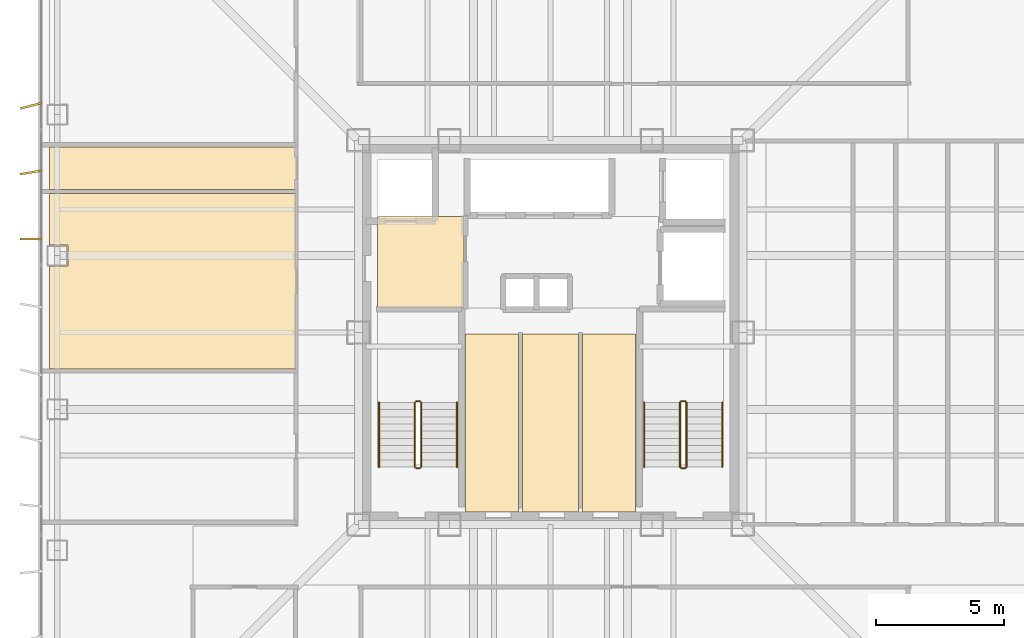
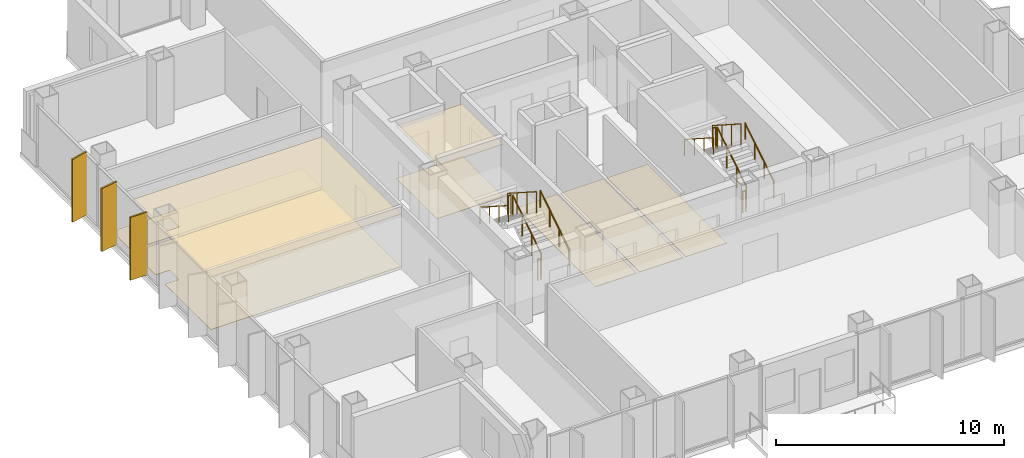
# One storey, part 12 of 13: 12 railings, 8 coverings, 3 shading devices.
"""IFC4 building model written with IfcOpenShell, lengths in metres."""

import ifcopenshell
import ifcopenshell.guid

model = None  # the IFC model being written
_history = None  # IfcOwnerHistory: only IFC2X3 demands one
_inside = {}  # id of a spatial element -> (the spatial element, [elements in it])
_under = {}  # id of a project, library or spatial element -> (it, [spatial elements below it])
_declared = {}  # id of a project -> (the project, [libraries it declares])
_typed = {}  # id of a type object -> (the type object, [elements of that type])
_made_of = {}  # id of a material, layer set ... -> (it, [elements and type objects made of it])


def new_model(schema):
    """Start an empty IFC model of exactly this schema.

    Asked for "IFC4X3", IfcOpenShell would pick the latest addendum, in which some entities
    have other attributes; the version numbers below select the first issue.
    IFC2X3 requires an IfcOwnerHistory on every rooted entity: one is made here for all.
    """
    global model, _history
    if schema == "IFC4X3":
        model = ifcopenshell.file(schema_version=(4, 3, 0, 0))
    else:
        model = ifcopenshell.file(schema=schema)
    _inside.clear()
    _under.clear()
    _declared.clear()
    _typed.clear()
    _made_of.clear()
    _history = None
    if model.schema == "IFC2X3":
        org = make("IfcOrganization", Name="unknown")
        user = make(
            "IfcPersonAndOrganization",
            ThePerson=make("IfcPerson", FamilyName="unknown"),
            TheOrganization=org,
        )
        app = make(
            "IfcApplication",
            ApplicationDeveloper=org,
            Version="unknown",
            ApplicationFullName="unknown",
            ApplicationIdentifier="unknown",
        )
        _history = make(
            "IfcOwnerHistory",
            OwningUser=user,
            OwningApplication=app,
            ChangeAction="ADDED",
            CreationDate=0,
        )
    return model


def make(cls, **values):
    """One entity of the class cls with the attributes given. An attribute that is None is left unset."""
    return model.create_entity(
        cls, **{name: value for name, value in values.items() if value is not None}
    )


def rooted(cls, **values):
    """An entity with a GlobalId (a new one), such as an element, a storey or a relation."""
    return make(cls, GlobalId=ifcopenshell.guid.new(), OwnerHistory=_history, **values)


def si_unit(unit_type, name, prefix=None):
    """IfcSIUnit, for example si_unit("LENGTHUNIT", "METRE", prefix="MILLI")."""
    return make("IfcSIUnit", UnitType=unit_type, Prefix=prefix, Name=name)


def assignment(units):
    """IfcUnitAssignment: the units of a project."""
    return None if units is None else make("IfcUnitAssignment", Units=units)


def point(xyz):
    """IfcCartesianPoint."""
    return None if xyz is None else make("IfcCartesianPoint", Coordinates=xyz)


def direction(xyz):
    """IfcDirection."""
    return None if xyz is None else make("IfcDirection", DirectionRatios=xyz)


def frame(location, z_axis=None, x_axis=None):
    """IfcAxis2Placement3D, a coordinate frame: its origin and axes. An axis left out is left unset."""
    return make(
        "IfcAxis2Placement3D",
        Location=point(location),
        Axis=direction(z_axis),
        RefDirection=direction(x_axis),
    )


def frame_2d(location, x_axis=None):
    """IfcAxis2Placement2D, a coordinate frame in the plane: its origin and x axis."""
    return make(
        "IfcAxis2Placement2D", Location=point(location), RefDirection=direction(x_axis)
    )


def origin():
    """The frame at (0, 0, 0) with its axes left unset."""
    return frame((0.0, 0.0, 0.0))


def origin_2d():
    """The frame at (0, 0) in the plane with its x axis left unset."""
    return frame_2d((0.0, 0.0))


def place(relative_to, where):
    """IfcLocalPlacement: puts the frame where relative to a parent placement (None: the world)."""
    return make(
        "IfcLocalPlacement", PlacementRelTo=relative_to, RelativePlacement=where
    )


def context(
    kind, dimensions, precision=None, world=None, true_north=None, identifier=None
):
    """IfcGeometricRepresentationContext, for example the 3D "Model" context."""
    return make(
        "IfcGeometricRepresentationContext",
        ContextIdentifier=identifier,
        ContextType=kind,
        CoordinateSpaceDimension=dimensions,
        Precision=precision,
        WorldCoordinateSystem=world,
        TrueNorth=true_north,
    )


def subcontext(parent, identifier, kind, view, scale=None):
    """IfcGeometricRepresentationSubContext, for example "Body" below "Model"."""
    return make(
        "IfcGeometricRepresentationSubContext",
        ContextIdentifier=identifier,
        ContextType=kind,
        ParentContext=parent,
        TargetScale=scale,
        TargetView=view,
    )


def project(units=None, contexts=None):
    """IfcProject with its units and contexts."""
    return rooted(
        "IfcProject",
        Name="project",
        RepresentationContexts=contexts,
        UnitsInContext=assignment(units),
    )


def spatial(cls, under=None, at=None, **own):
    """A site, building, storey or space (cls), placed at a placement, below another one or the project."""
    s = rooted(cls, ObjectPlacement=at, **own)
    if under is not None:
        _under.setdefault(under.id(), (under, []))[1].append(s)
    return s


def polyline(points):
    """IfcPolyline through the points."""
    return make("IfcPolyline", Points=[point(p) for p in points])


def profile(cls, at=None, kind="AREA", **sizes):
    """A parametric profile (cls). Its sizes go by their IFC names, for example OverallWidth=200.0."""
    return make(cls, ProfileType=kind, Position=at, **sizes)


def rectangle(**sizes):
    """IfcRectangleProfileDef."""
    return profile("IfcRectangleProfileDef", **sizes)


def circle(**sizes):
    """IfcCircleProfileDef."""
    return profile("IfcCircleProfileDef", **sizes)


def outline(outer, holes=None, kind="AREA"):
    """IfcArbitraryClosedProfileDef: a profile drawn as a closed curve; with holes, ...WithVoids."""
    if holes is None:
        return make("IfcArbitraryClosedProfileDef", ProfileType=kind, OuterCurve=outer)
    return make(
        "IfcArbitraryProfileDefWithVoids",
        ProfileType=kind,
        OuterCurve=outer,
        InnerCurves=holes,
    )


def extrude(swept, where, along, depth):
    """IfcExtrudedAreaSolid: the profile swept, set in the frame where, extruded along a direction by depth."""
    return make(
        "IfcExtrudedAreaSolid",
        SweptArea=swept,
        Position=where,
        ExtrudedDirection=direction(along),
        Depth=depth,
    )


def shape(context_of_items, identifier, shape_type, items):
    """IfcShapeRepresentation: the items that make up one representation, for example the "Body"."""
    return make(
        "IfcShapeRepresentation",
        ContextOfItems=context_of_items,
        RepresentationIdentifier=identifier,
        RepresentationType=shape_type,
        Items=items,
    )


def material(Name=None, Category=None):
    """IfcMaterial."""
    return make("IfcMaterial", Name=Name, Category=Category)


def layer(
    of_material, thickness, ventilated=None, Name=None, Category=None, Priority=None
):
    """IfcMaterialLayer: one layer of a wall or slab, of a material (None: an air gap)."""
    return make(
        "IfcMaterialLayer",
        Material=of_material,
        LayerThickness=thickness,
        IsVentilated=ventilated,
        Name=Name,
        Category=Category,
        Priority=Priority,
    )


def layer_set(layers, Name=None):
    """IfcMaterialLayerSet."""
    return make("IfcMaterialLayerSet", MaterialLayers=layers, LayerSetName=Name)


def made_of(thing, what):
    """Note that an element or type object is made of a material, layer set ...; save() writes the relation."""
    if what is not None:
        _made_of.setdefault(what.id(), (what, []))[1].append(thing)
    return thing


def type_object(cls, material=None, **own):
    """A type object (cls), such as IfcWallType, which elements share."""
    return made_of(rooted(cls, **own), material)


def element(
    cls,
    number,
    at=None,
    inside=None,
    cuts=None,
    type_object=None,
    material=None,
    context=None,
    identifier="Body",
    shape_type=None,
    held_by="IfcProductDefinitionShape",
    body=None,
    shapes=None,
    **own,
):
    """One element of the class cls, such as IfcWall. Its Tag is "e" and its number.

    at: its placement. inside: the storey or other place that contains it. cuts: it is an
    opening in that element (IfcRelVoidsElement). A single representation is given by context,
    identifier, shape_type and body (its items); several are given by shapes. held_by: the class
    of the entity that holds the representations. save() writes the other relations.
    """
    e = rooted(cls, Tag="e%d" % number, ObjectPlacement=at, **own)
    if body is not None:
        shapes = [shape(context, identifier, shape_type, body)]
    if shapes is not None:
        e.Representation = make(held_by, Representations=shapes)
    if inside is not None:
        _inside.setdefault(inside.id(), (inside, []))[1].append(e)
    if cuts is not None:
        rooted(
            "IfcRelVoidsElement", RelatingBuildingElement=cuts, RelatedOpeningElement=e
        )
    if type_object is not None:
        _typed.setdefault(type_object.id(), (type_object, []))[1].append(e)
    return made_of(e, material)


def aggregate(whole, parts):
    """IfcRelAggregates: a whole, such as a stair, and the parts it consists of."""
    return rooted("IfcRelAggregates", RelatingObject=whole, RelatedObjects=parts)


def save(model, path):
    """Write the relations noted so far, then the file.

    IfcRelAggregates (storeys below a building ...), IfcRelContainedInSpatialStructure (elements
    in a storey), IfcRelDefinesByType, IfcRelAssociatesMaterial and IfcRelDeclares: one each for
    every whole, place, type object, material and project.
    """
    for whole, parts in _under.values():
        aggregate(whole, parts)
    for where, things in _inside.values():
        rooted(
            "IfcRelContainedInSpatialStructure",
            RelatedElements=things,
            RelatingStructure=where,
        )
    for kind, things in _typed.values():
        rooted("IfcRelDefinesByType", RelatedObjects=things, RelatingType=kind)
    for what, things in _made_of.values():
        rooted("IfcRelAssociatesMaterial", RelatedObjects=things, RelatingMaterial=what)
    for by, libraries in _declared.values():
        rooted("IfcRelDeclares", RelatingContext=by, RelatedDefinitions=libraries)
    model.write(path)


model = new_model("IFC4")

# Units and contexts
model_context = context("Model", 3, precision=1e-05, world=origin(), true_north=direction((0.0, 1.0)))
body_context = subcontext(model_context, "Body", "Model", "MODEL_VIEW")
ifc_project = project(units=[si_unit("LENGTHUNIT", "METRE"), si_unit("AREAUNIT", "SQUARE_METRE"), si_unit("VOLUMEUNIT", "CUBIC_METRE"), si_unit("PLANEANGLEUNIT", "RADIAN"), si_unit("MASSUNIT", "GRAM", prefix="KILO")], contexts=[model_context])

# Site, building, storey
site_placement = place(None, origin())
site = spatial("IfcSite", under=ifc_project, at=site_placement, CompositionType="ELEMENT")
building_placement = place(site_placement, origin())
building = spatial("IfcBuilding", under=site, at=building_placement, Name="Trevonay Congress Spire", CompositionType="ELEMENT")
storey_placement = place(building_placement, frame((0.0, 0.0, 205.800048828125)))
storey = spatial("IfcBuildingStorey", under=building, at=storey_placement, Name="L53", CompositionType="ELEMENT", Elevation=205.800048828125)

# Coverings
ifc_material_1 = material(Name="Acoustic Mineral Fibre Board", Category="gypsum")
ifc_layer_1 = layer(ifc_material_1, 0.02490234375, Name="Acoustic Mineral Fibre Board")
ifc_layer_set_1 = layer_set([ifc_layer_1], Name="Acoustic Mineral Fibre Board")
covering_type_1 = type_object("IfcCoveringType", Name="COV-CEIL-ACOUSTIC", PredefinedType="CEILING", material=ifc_layer_set_1)
covering_1_placement = place(storey_placement, frame((0.0, 0.0, 2.81005859375)))
element("IfcCovering", 1, at=covering_1_placement, inside=storey, type_object=covering_type_1, Name="L53 Firefighting Lift Lobby West acoustic suspended ceiling", PredefinedType="CEILING", context=body_context, shape_type="SweptSolid", body=[
    extrude(outline(polyline([(-6.75, 0.9599609375), (-3.3798828125, 0.9599609375), (-3.3798828125, 4.52001953125), (-6.75, 4.52001953125), (-6.75, 0.9599609375)])), origin(), (0.0, 0.0, 1.0), 0.02490234375),
])
covering_2_placement = place(storey_placement, frame((0.0, 0.0, 2.81005859375)))
element("IfcCovering", 2, at=covering_2_placement, inside=storey, type_object=covering_type_1, Name="L53 Spa Treatment Lounge acoustic suspended ceiling", PredefinedType="CEILING", context=body_context, shape_type="SweptSolid", body=[
    extrude(outline(polyline([(-19.550048828125, 5.419921875), (-9.929931640625, 5.419921875), (-9.929931640625, -1.419921875), (-19.550048828125, -1.419921875), (-19.550048828125, 2.590087890625), (-18.840087890625, 2.590087890625), (-18.840087890625, 3.409912109375), (-19.550048828125, 3.409912109375), (-19.550048828125, 5.419921875)])), origin(), (0.0, 0.0, 1.0), 0.02490234375),
])
ifc_material_2 = material(Name="Polished Granite Floor Tile", Category="masonry")
ifc_layer_2 = layer(ifc_material_2, 0.02001953125, Name="Polished Granite Floor Tile")
ifc_layer_set_2 = layer_set([ifc_layer_2], Name="Polished Granite Floor Tile")
covering_type_2 = type_object("IfcCoveringType", Name="COV-FLOOR-STONE", PredefinedType="FLOORING", material=ifc_layer_set_2)
covering_3_placement = place(storey_placement, origin())
element("IfcCovering", 3, at=covering_3_placement, inside=storey, type_object=covering_type_2, Name="L53 Firefighting Lift Lobby West floor finish", PredefinedType="FLOORING", context=body_context, shape_type="SweptSolid", body=[
    extrude(outline(polyline([(-6.75, 0.9599609375), (-3.3798828125, 0.9599609375), (-3.3798828125, 4.52001953125), (-6.75, 4.52001953125), (-6.75, 0.9599609375)])), origin(), (0.0, 0.0, 1.0), 0.02001953125),
])
covering_4_placement = place(storey_placement, origin())
element("IfcCovering", 4, at=covering_4_placement, inside=storey, type_object=covering_type_2, Name="L53 Core AHU Fan Plant Room floor finish", PredefinedType="FLOORING", context=body_context, shape_type="SweptSolid", body=[
    extrude(outline(polyline([(-3.320068359375, -7.0), (-1.25, -7.0), (-1.25, -0.050048828125), (-3.320068359375, -0.050048828125), (-3.320068359375, -7.0)])), origin(), (0.0, 0.0, 1.0), 0.02001953125),
])
covering_5_placement = place(storey_placement, origin())
element("IfcCovering", 5, at=covering_5_placement, inside=storey, type_object=covering_type_2, Name="L53 Core IT Comms Store floor finish", PredefinedType="FLOORING", context=body_context, shape_type="SweptSolid", body=[
    extrude(outline(polyline([(-1.090087890625, -7.0), (1.090087890625, -7.0), (1.090087890625, -0.050048828125), (-1.090087890625, -0.050048828125), (-1.090087890625, -7.0)])), origin(), (0.0, 0.0, 1.0), 0.02001953125),
])
covering_6_placement = place(storey_placement, origin())
element("IfcCovering", 6, at=covering_6_placement, inside=storey, type_object=covering_type_2, Name="L53 Housekeeping Linen Store floor finish", PredefinedType="FLOORING", context=body_context, shape_type="SweptSolid", body=[
    extrude(outline(polyline([(1.25, -7.0), (3.320068359375, -7.0), (3.320068359375, -0.050048828125), (1.25, -0.050048828125), (1.25, -7.0)])), origin(), (0.0, 0.0, 1.0), 0.02001953125),
])
covering_7_placement = place(storey_placement, origin())
element("IfcCovering", 7, at=covering_7_placement, inside=storey, type_object=covering_type_2, Name="L53 Accessible WC floor finish", PredefinedType="FLOORING", context=body_context, shape_type="SweptSolid", body=[
    extrude(outline(polyline([(-19.550048828125, 5.580078125), (-9.929931640625, 5.580078125), (-9.929931640625, 7.25), (-19.550048828125, 7.25), (-19.550048828125, 5.580078125)])), origin(), (0.0, 0.0, 1.0), 0.02001953125),
])
ifc_material_3 = material(Name="Engineered Oak Flooring", Category="wood")
ifc_layer_3 = layer(ifc_material_3, 0.01806640625, Name="Engineered Oak Flooring")
ifc_layer_set_3 = layer_set([ifc_layer_3], Name="Engineered Oak Flooring")
covering_type_3 = type_object("IfcCoveringType", Name="COV-FLOOR-TIMBER", PredefinedType="FLOORING", material=ifc_layer_set_3)
covering_8_placement = place(storey_placement, origin())
element("IfcCovering", 8, at=covering_8_placement, inside=storey, type_object=covering_type_3, Name="L53 Spa Treatment Lounge floor finish", PredefinedType="FLOORING", context=body_context, shape_type="SweptSolid", body=[
    extrude(outline(polyline([(-19.550048828125, 5.419921875), (-9.929931640625, 5.419921875), (-9.929931640625, -1.419921875), (-19.550048828125, -1.419921875), (-19.550048828125, 2.590087890625), (-18.840087890625, 2.590087890625), (-18.840087890625, 3.409912109375), (-19.550048828125, 3.409912109375), (-19.550048828125, 5.419921875)])), origin(), (0.0, 0.0, 1.0), 0.01806640625),
])

# Railings
ifc_material_4 = material(Name="Pale Anodised Aluminium EN AW-6063-T6", Category="aluminium")
railing_type_1 = type_object("IfcRailingType", Name="RAL-STAIR-GUARD-110", PredefinedType="GUARDRAIL", material=ifc_material_4)
railing_1_placement = place(storey_placement, frame((-5.050048828125, -5.25, 0.179931640625)))
element("IfcRailing", 9, at=railing_1_placement, inside=storey, type_object=railing_type_1, Name="L53 ST-1 stair guard 1", PredefinedType="GUARDRAIL", context=body_context, shape_type="SweptSolid", body=[
    extrude(circle(Radius=0.02392578125, at=origin_2d()), frame((0.0, 0.0, 1.1259765625), z_axis=(0.0, 0.841162588446, 0.540782303519), x_axis=(-1.0, 0.0, 0.0)), (0.0, 0.0, 1.0), 2.995849609375),
    extrude(circle(Radius=0.02099609375, at=origin_2d()), origin(), (0.0, 0.0, 1.0), 1.101806640625),
    extrude(circle(Radius=0.02099609375, at=origin_2d()), frame((0.0, 0.840087890625, 0.5400390625)), (0.0, 0.0, 1.0), 1.101806640625),
    extrude(circle(Radius=0.02099609375, at=origin_2d()), frame((0.0, 1.679931640625, 1.080078125)), (0.0, 0.0, 1.0), 1.101806640625),
    extrude(circle(Radius=0.02099609375, at=origin_2d()), frame((0.0, 2.52001953125, 1.6201171875)), (0.0, 0.0, 1.0), 1.101806640625),
])
railing_2_placement = place(storey_placement, frame((-5.10009765625, -2.679931640625, 1.800048828125)))
element("IfcRailing", 10, at=railing_2_placement, inside=storey, type_object=railing_type_1, Name="L53 ST-1 stair guard 2", PredefinedType="GUARDRAIL", context=body_context, shape_type="SweptSolid", body=[
    extrude(circle(Radius=0.02392578125, at=origin_2d()), frame((0.0, 0.0, 1.1259765625), z_axis=(-1.0, 0.0, 0.0), x_axis=(0.0, -1.0, 0.0)), (0.0, 0.0, 1.0), 0.14990234375),
    extrude(circle(Radius=0.02099609375, at=origin_2d()), origin(), (0.0, 0.0, 1.0), 1.101806640625),
    extrude(circle(Radius=0.02099609375, at=origin_2d()), frame((-0.14990234375, 0.0, 0.0)), (0.0, 0.0, 1.0), 1.101806640625),
])
railing_3_placement = place(storey_placement, frame((-5.300048828125, -2.72998046875, 1.97998046875)))
element("IfcRailing", 11, at=railing_3_placement, inside=storey, type_object=railing_type_1, Name="L53 ST-1 stair guard 3", PredefinedType="GUARDRAIL", context=body_context, shape_type="SweptSolid", body=[
    extrude(circle(Radius=0.02392578125, at=origin_2d()), frame((0.0, 0.0, 1.1259765625), z_axis=(0.0, -0.841199657755, 0.540724639528), x_axis=(1.0, 0.0, 0.0)), (0.0, 0.0, 1.0), 2.995849609375),
    extrude(circle(Radius=0.02099609375, at=origin_2d()), origin(), (0.0, 0.0, 1.0), 1.101806640625),
    extrude(circle(Radius=0.02099609375, at=origin_2d()), frame((0.0, -0.840087890625, 0.5400390625)), (0.0, 0.0, 1.0), 1.101806640625),
    extrude(circle(Radius=0.02099609375, at=origin_2d()), frame((0.0, -1.679931640625, 1.079833984375)), (0.0, 0.0, 1.0), 1.101806640625),
    extrude(circle(Radius=0.02099609375, at=origin_2d()), frame((0.0, -2.52001953125, 1.619873046875)), (0.0, 0.0, 1.0), 1.101806640625),
])
railing_4_placement = place(storey_placement, frame((-5.10009765625, -5.300048828125, 0.0)))
element("IfcRailing", 12, at=railing_4_placement, inside=storey, type_object=railing_type_1, Name="L53 ST-1 stair guard 4", PredefinedType="GUARDRAIL", context=body_context, shape_type="SweptSolid", body=[
    extrude(circle(Radius=0.02392578125, at=origin_2d()), frame((0.0, 0.0, 1.1259765625), z_axis=(-1.0, 0.0, 0.0), x_axis=(0.0, -1.0, 0.0)), (0.0, 0.0, 1.0), 0.14990234375),
    extrude(circle(Radius=0.02099609375, at=origin_2d()), origin(), (0.0, 0.0, 1.0), 1.101806640625),
    extrude(circle(Radius=0.02099609375, at=origin_2d()), frame((-0.14990234375, 0.0, 0.0)), (0.0, 0.0, 1.0), 1.101806640625),
])
railing_5_placement = place(storey_placement, frame((5.300048828125, -5.25, 0.179931640625)))
element("IfcRailing", 13, at=railing_5_placement, inside=storey, type_object=railing_type_1, Name="L53 ST-2 stair guard 1", PredefinedType="GUARDRAIL", context=body_context, shape_type="SweptSolid", body=[
    extrude(circle(Radius=0.02392578125, at=origin_2d()), frame((0.0, 0.0, 1.1259765625), z_axis=(0.0, 0.841162588446, 0.540782303519), x_axis=(-1.0, 0.0, 0.0)), (0.0, 0.0, 1.0), 2.995849609375),
    extrude(circle(Radius=0.02099609375, at=origin_2d()), origin(), (0.0, 0.0, 1.0), 1.101806640625),
    extrude(circle(Radius=0.02099609375, at=origin_2d()), frame((0.0, 0.840087890625, 0.5400390625)), (0.0, 0.0, 1.0), 1.101806640625),
    extrude(circle(Radius=0.02099609375, at=origin_2d()), frame((0.0, 1.679931640625, 1.080078125)), (0.0, 0.0, 1.0), 1.101806640625),
    extrude(circle(Radius=0.02099609375, at=origin_2d()), frame((0.0, 2.52001953125, 1.6201171875)), (0.0, 0.0, 1.0), 1.101806640625),
])
railing_6_placement = place(storey_placement, frame((5.25, -2.679931640625, 1.800048828125)))
element("IfcRailing", 14, at=railing_6_placement, inside=storey, type_object=railing_type_1, Name="L53 ST-2 stair guard 2", PredefinedType="GUARDRAIL", context=body_context, shape_type="SweptSolid", body=[
    extrude(circle(Radius=0.02392578125, at=origin_2d()), frame((0.0, 0.0, 1.1259765625), z_axis=(-1.0, 0.0, 0.0), x_axis=(0.0, -1.0, 0.0)), (0.0, 0.0, 1.0), 0.14990234375),
    extrude(circle(Radius=0.02099609375, at=origin_2d()), origin(), (0.0, 0.0, 1.0), 1.101806640625),
    extrude(circle(Radius=0.02099609375, at=origin_2d()), frame((-0.14990234375, 0.0, 0.0)), (0.0, 0.0, 1.0), 1.101806640625),
])
railing_7_placement = place(storey_placement, frame((5.050048828125, -2.72998046875, 1.97998046875)))
element("IfcRailing", 15, at=railing_7_placement, inside=storey, type_object=railing_type_1, Name="L53 ST-2 stair guard 3", PredefinedType="GUARDRAIL", context=body_context, shape_type="SweptSolid", body=[
    extrude(circle(Radius=0.02392578125, at=origin_2d()), frame((0.0, 0.0, 1.1259765625), z_axis=(0.0, -0.841199657755, 0.540724639528), x_axis=(1.0, 0.0, 0.0)), (0.0, 0.0, 1.0), 2.995849609375),
    extrude(circle(Radius=0.02099609375, at=origin_2d()), origin(), (0.0, 0.0, 1.0), 1.101806640625),
    extrude(circle(Radius=0.02099609375, at=origin_2d()), frame((0.0, -0.840087890625, 0.5400390625)), (0.0, 0.0, 1.0), 1.101806640625),
    extrude(circle(Radius=0.02099609375, at=origin_2d()), frame((0.0, -1.679931640625, 1.079833984375)), (0.0, 0.0, 1.0), 1.101806640625),
    extrude(circle(Radius=0.02099609375, at=origin_2d()), frame((0.0, -2.52001953125, 1.619873046875)), (0.0, 0.0, 1.0), 1.101806640625),
])
railing_8_placement = place(storey_placement, frame((5.25, -5.300048828125, 0.0)))
element("IfcRailing", 16, at=railing_8_placement, inside=storey, type_object=railing_type_1, Name="L53 ST-2 stair guard 4", PredefinedType="GUARDRAIL", context=body_context, shape_type="SweptSolid", body=[
    extrude(circle(Radius=0.02392578125, at=origin_2d()), frame((0.0, 0.0, 1.1259765625), z_axis=(-1.0, 0.0, 0.0), x_axis=(0.0, -1.0, 0.0)), (0.0, 0.0, 1.0), 0.14990234375),
    extrude(circle(Radius=0.02099609375, at=origin_2d()), origin(), (0.0, 0.0, 1.0), 1.101806640625),
    extrude(circle(Radius=0.02099609375, at=origin_2d()), frame((-0.14990234375, 0.0, 0.0)), (0.0, 0.0, 1.0), 1.101806640625),
])
railing_type_2 = type_object("IfcRailingType", Name="RAL-STAIR-HANDRAIL", PredefinedType="HANDRAIL", material=ifc_material_4)
railing_9_placement = place(storey_placement, frame((-3.64990234375, -5.25, 0.179931640625)))
element("IfcRailing", 17, at=railing_9_placement, inside=storey, type_object=railing_type_2, Name="L53 ST-1 stair handrail 1", PredefinedType="HANDRAIL", context=body_context, shape_type="SweptSolid", body=[
    extrude(circle(Radius=0.02392578125, at=origin_2d()), frame((0.0, 0.0, 0.8759765625), z_axis=(0.0, 0.841162588446, 0.540782303519), x_axis=(-1.0, 0.0, 0.0)), (0.0, 0.0, 1.0), 2.995849609375),
    extrude(circle(Radius=0.02099609375, at=origin_2d()), origin(), (0.0, 0.0, 1.0), 0.851806640625),
    extrude(circle(Radius=0.02099609375, at=origin_2d()), frame((0.0, 0.840087890625, 0.5400390625)), (0.0, 0.0, 1.0), 0.851806640625),
    extrude(circle(Radius=0.02099609375, at=origin_2d()), frame((0.0, 1.679931640625, 1.080078125)), (0.0, 0.0, 1.0), 0.851806640625),
    extrude(circle(Radius=0.02099609375, at=origin_2d()), frame((0.0, 2.52001953125, 1.6201171875)), (0.0, 0.0, 1.0), 0.851806640625),
])
railing_10_placement = place(storey_placement, frame((-6.699951171875, -2.72998046875, 1.97998046875)))
element("IfcRailing", 18, at=railing_10_placement, inside=storey, type_object=railing_type_2, Name="L53 ST-1 stair handrail 2", PredefinedType="HANDRAIL", context=body_context, shape_type="SweptSolid", body=[
    extrude(circle(Radius=0.02392578125, at=origin_2d()), frame((0.0, 0.0, 0.8759765625), z_axis=(0.0, -0.841199657755, 0.540724639528), x_axis=(1.0, 0.0, 0.0)), (0.0, 0.0, 1.0), 2.995849609375),
    extrude(circle(Radius=0.02099609375, at=origin_2d()), origin(), (0.0, 0.0, 1.0), 0.851806640625),
    extrude(circle(Radius=0.02099609375, at=origin_2d()), frame((0.0, -0.840087890625, 0.5400390625)), (0.0, 0.0, 1.0), 0.851806640625),
    extrude(circle(Radius=0.02099609375, at=origin_2d()), frame((0.0, -1.679931640625, 1.079833984375)), (0.0, 0.0, 1.0), 0.851806640625),
    extrude(circle(Radius=0.02099609375, at=origin_2d()), frame((0.0, -2.52001953125, 1.619873046875)), (0.0, 0.0, 1.0), 0.851806640625),
])
railing_11_placement = place(storey_placement, frame((6.699951171875, -5.25, 0.179931640625)))
element("IfcRailing", 19, at=railing_11_placement, inside=storey, type_object=railing_type_2, Name="L53 ST-2 stair handrail 1", PredefinedType="HANDRAIL", context=body_context, shape_type="SweptSolid", body=[
    extrude(circle(Radius=0.02392578125, at=origin_2d()), frame((0.0, 0.0, 0.8759765625), z_axis=(0.0, 0.841162588446, 0.540782303519), x_axis=(-1.0, 0.0, 0.0)), (0.0, 0.0, 1.0), 2.995849609375),
    extrude(circle(Radius=0.02099609375, at=origin_2d()), origin(), (0.0, 0.0, 1.0), 0.851806640625),
    extrude(circle(Radius=0.02099609375, at=origin_2d()), frame((0.0, 0.840087890625, 0.5400390625)), (0.0, 0.0, 1.0), 0.851806640625),
    extrude(circle(Radius=0.02099609375, at=origin_2d()), frame((0.0, 1.679931640625, 1.080078125)), (0.0, 0.0, 1.0), 0.851806640625),
    extrude(circle(Radius=0.02099609375, at=origin_2d()), frame((0.0, 2.52001953125, 1.6201171875)), (0.0, 0.0, 1.0), 0.851806640625),
])
railing_12_placement = place(storey_placement, frame((3.64990234375, -2.72998046875, 1.97998046875)))
element("IfcRailing", 20, at=railing_12_placement, inside=storey, type_object=railing_type_2, Name="L53 ST-2 stair handrail 2", PredefinedType="HANDRAIL", context=body_context, shape_type="SweptSolid", body=[
    extrude(circle(Radius=0.02392578125, at=origin_2d()), frame((0.0, 0.0, 0.8759765625), z_axis=(0.0, -0.841199657755, 0.540724639528), x_axis=(1.0, 0.0, 0.0)), (0.0, 0.0, 1.0), 2.995849609375),
    extrude(circle(Radius=0.02099609375, at=origin_2d()), origin(), (0.0, 0.0, 1.0), 0.851806640625),
    extrude(circle(Radius=0.02099609375, at=origin_2d()), frame((0.0, -0.840087890625, 0.5400390625)), (0.0, 0.0, 1.0), 0.851806640625),
    extrude(circle(Radius=0.02099609375, at=origin_2d()), frame((0.0, -1.679931640625, 1.079833984375)), (0.0, 0.0, 1.0), 0.851806640625),
    extrude(circle(Radius=0.02099609375, at=origin_2d()), frame((0.0, -2.52001953125, 1.619873046875)), (0.0, 0.0, 1.0), 0.851806640625),
])

# Shading devices
shading_device_type = type_object("IfcShadingDeviceType", Name="SHD-FIN-Z3-PALE-METAL", PredefinedType="USERDEFINED", material=ifc_material_4)
for number, where, z_axis, x_axis, name in (
    (21, (-20.280029296875, 3.64990234375, 0.0), (0.0, 0.0, 1.0), (0.0, 1.0, 0.0), "L53 W vertical pale-metal solar fin 7"),
    (22, (-20.280029296875, 6.25, 0.0), (0.0, 0.0, 1.0), (-0.16745706111, 0.98587937025, 0.0), "L53 W vertical pale-metal solar fin 8"),
    (23, (-20.280029296875, 8.85009765625, 0.0), (0.0, 0.0, 1.0), (-0.2549394954, 0.966957007154, 0.0), "L53 W vertical pale-metal solar fin 9"),
):
    element("IfcShadingDevice", number, at=place(storey_placement, frame(where, z_axis=z_axis, x_axis=x_axis)), inside=storey, type_object=shading_device_type, Name=name, ObjectType="SOLAR FIN", PredefinedType="USERDEFINED", context=body_context, shape_type="SweptSolid", body=[
        extrude(rectangle(XDim=0.080078125, YDim=0.85009765625, at=origin_2d()), origin(), (0.0, 0.0, 1.0), 3.360107421875),
    ])

save(model, "model.ifc")
